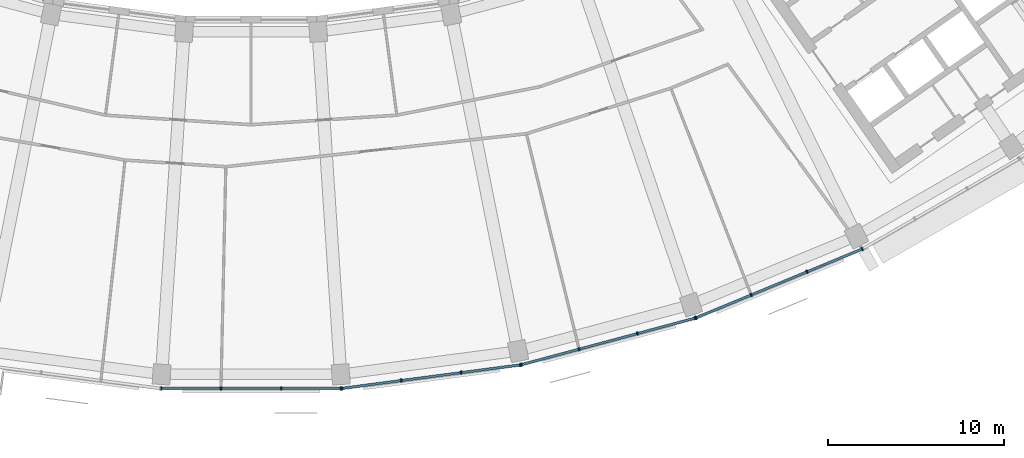
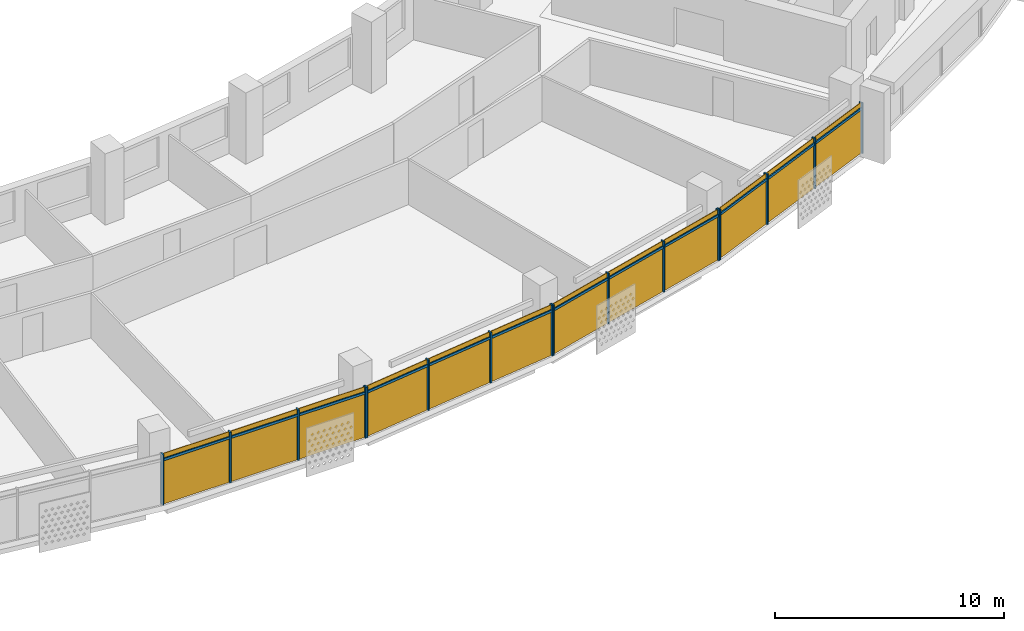
# One storey, part 20 of 27: 28 members, 4 curtain walls.
"""IFC4 building model written with IfcOpenShell, lengths in metres."""

from ifc_helpers import new_model, si_unit, direction, frame, origin, origin_2d, place, context, subcontext, project, spatial, rectangle, extrude, material, material_profile, profile_set, type_object, element, aggregate, save


model = new_model("IFC4")

# Units and contexts
model_context = context("Model", 3, precision=1e-05, world=origin(), true_north=direction((0.0, 1.0)))
body_context = subcontext(model_context, "Body", "Model", "MODEL_VIEW")
ifc_project = project(units=[si_unit("LENGTHUNIT", "METRE"), si_unit("AREAUNIT", "SQUARE_METRE"), si_unit("VOLUMEUNIT", "CUBIC_METRE"), si_unit("PLANEANGLEUNIT", "RADIAN"), si_unit("MASSUNIT", "GRAM", prefix="KILO")], contexts=[model_context])

# Member
ifc_material = material(Name="Aluminium 6063-T6 anodised", Category="aluminium")
ifc_material_profile_1 = material_profile(ifc_material, rectangle(XDim=0.199951171875, YDim=0.070068359375, at=origin_2d()))
ifc_profile_set_1 = profile_set([ifc_material_profile_1], Name="Aluminium 6063-T6 anodised")
member_type_1 = type_object("IfcMemberType", Name="Mullion 70 x 200 aluminium", PredefinedType="MULLION", material=ifc_profile_set_1)
site_placement = place(None, origin())
building_placement = place(site_placement, origin())
storey_placement = place(building_placement, frame((0.0, 0.0, 237.89990234375)))
member_1_placement = place(storey_placement, frame((-5.10888671875, -78.381591796875, 0.0), z_axis=(0.0, 0.0, 1.0), x_axis=(0.0, 1.0, 0.0)))
member_1 = element("IfcMember", 1, at=member_1_placement, type_object=member_type_1, Name="e-cw1-L57-out08/M00", PredefinedType="MULLION", context=body_context, shape_type="SweptSolid", body=[
    extrude(rectangle(XDim=0.199951171875, YDim=0.070068359375, at=origin_2d()), origin(), (0.0, 0.0, 1.0), 2.7001953125),
])

member_2_placement = place(storey_placement, frame((-1.714599609375, -78.381591796875, 0.0), z_axis=(0.0, 0.0, 1.0), x_axis=(0.0, 1.0, 0.0)))
member_2 = element("IfcMember", 2, at=member_2_placement, type_object=member_type_1, Name="e-cw1-L57-out08/M01", PredefinedType="MULLION", context=body_context, shape_type="SweptSolid", body=[
    extrude(rectangle(XDim=0.199951171875, YDim=0.070068359375, at=origin_2d()), origin(), (0.0, 0.0, 1.0), 2.7001953125),
])

member_3_placement = place(storey_placement, frame((1.714599609375, -78.381591796875, 0.0), z_axis=(0.0, 0.0, 1.0), x_axis=(0.0, 1.0, 0.0)))
member_3 = element("IfcMember", 3, at=member_3_placement, type_object=member_type_1, Name="e-cw1-L57-out08/M02", PredefinedType="MULLION", context=body_context, shape_type="SweptSolid", body=[
    extrude(rectangle(XDim=0.199951171875, YDim=0.070068359375, at=origin_2d()), origin(), (0.0, 0.0, 1.0), 2.7001953125),
])

member_4_placement = place(storey_placement, frame((5.10888671875, -78.381591796875, 0.0), z_axis=(0.0, 0.0, 1.0), x_axis=(0.0, 1.0, 0.0)))
member_4 = element("IfcMember", 4, at=member_4_placement, type_object=member_type_1, Name="e-cw1-L57-out08/M03", PredefinedType="MULLION", context=body_context, shape_type="SweptSolid", body=[
    extrude(rectangle(XDim=0.199951171875, YDim=0.070068359375, at=origin_2d()), origin(), (0.0, 0.0, 1.0), 2.7001953125),
])

member_5_placement = place(storey_placement, frame((5.16552734375, -78.3779296875, 0.0), z_axis=(0.0, 0.0, 1.0), x_axis=(-0.13052619222, 0.991444861374, 0.0)))
member_5 = element("IfcMember", 5, at=member_5_placement, type_object=member_type_1, Name="e-cw1-L57-out09/M00", PredefinedType="MULLION", context=body_context, shape_type="SweptSolid", body=[
    extrude(rectangle(XDim=0.199951171875, YDim=0.070068359375, at=origin_2d()), origin(), (0.0, 0.0, 1.0), 2.7001953125),
])

member_6_placement = place(storey_placement, frame((8.53076171875, -77.934814453125, 0.0), z_axis=(0.0, 0.0, 1.0), x_axis=(-0.13052619222, 0.991444861374, 0.0)))
member_6 = element("IfcMember", 6, at=member_6_placement, type_object=member_type_1, Name="e-cw1-L57-out09/M01", PredefinedType="MULLION", context=body_context, shape_type="SweptSolid", body=[
    extrude(rectangle(XDim=0.199951171875, YDim=0.070068359375, at=origin_2d()), origin(), (0.0, 0.0, 1.0), 2.7001953125),
])

member_7_placement = place(storey_placement, frame((11.930908203125, -77.4873046875, 0.0), z_axis=(0.0, 0.0, 1.0), x_axis=(-0.13052619222, 0.991444861374, 0.0)))
member_7 = element("IfcMember", 7, at=member_7_placement, type_object=member_type_1, Name="e-cw1-L57-out09/M02", PredefinedType="MULLION", context=body_context, shape_type="SweptSolid", body=[
    extrude(rectangle(XDim=0.199951171875, YDim=0.070068359375, at=origin_2d()), origin(), (0.0, 0.0, 1.0), 2.7001953125),
])

member_8_placement = place(storey_placement, frame((15.296142578125, -77.044189453125, 0.0), z_axis=(0.0, 0.0, 1.0), x_axis=(-0.13052619222, 0.991444861374, 0.0)))
member_8 = element("IfcMember", 8, at=member_8_placement, type_object=member_type_1, Name="e-cw1-L57-out09/M03", PredefinedType="MULLION", context=body_context, shape_type="SweptSolid", body=[
    extrude(rectangle(XDim=0.199951171875, YDim=0.070068359375, at=origin_2d()), origin(), (0.0, 0.0, 1.0), 2.7001953125),
])

member_9_placement = place(storey_placement, frame((15.351806640625, -77.033203125, 0.0), z_axis=(0.0, 0.0, 1.0), x_axis=(-0.258819045103, 0.965925826289, 0.0)))
member_9 = element("IfcMember", 9, at=member_9_placement, type_object=member_type_1, Name="e-cw1-L57-out10/M00", PredefinedType="MULLION", context=body_context, shape_type="SweptSolid", body=[
    extrude(rectangle(XDim=0.199951171875, YDim=0.070068359375, at=origin_2d()), origin(), (0.0, 0.0, 1.0), 2.7001953125),
])

member_10_placement = place(storey_placement, frame((18.63037109375, -76.154541015625, 0.0), z_axis=(0.0, 0.0, 1.0), x_axis=(-0.258819045103, 0.965925826289, 0.0)))
member_10 = element("IfcMember", 10, at=member_10_placement, type_object=member_type_1, Name="e-cw1-L57-out10/M01", PredefinedType="MULLION", context=body_context, shape_type="SweptSolid", body=[
    extrude(rectangle(XDim=0.199951171875, YDim=0.070068359375, at=origin_2d()), origin(), (0.0, 0.0, 1.0), 2.7001953125),
])

member_11_placement = place(storey_placement, frame((21.94287109375, -75.26708984375, 0.0), z_axis=(0.0, 0.0, 1.0), x_axis=(-0.258819045103, 0.965925826289, 0.0)))
member_11 = element("IfcMember", 11, at=member_11_placement, type_object=member_type_1, Name="e-cw1-L57-out10/M02", PredefinedType="MULLION", context=body_context, shape_type="SweptSolid", body=[
    extrude(rectangle(XDim=0.199951171875, YDim=0.070068359375, at=origin_2d()), origin(), (0.0, 0.0, 1.0), 2.7001953125),
])

member_12_placement = place(storey_placement, frame((25.221435546875, -74.388427734375, 0.0), z_axis=(0.0, 0.0, 1.0), x_axis=(-0.258819045103, 0.965925826289, 0.0)))
member_12 = element("IfcMember", 12, at=member_12_placement, type_object=member_type_1, Name="e-cw1-L57-out10/M03", PredefinedType="MULLION", context=body_context, shape_type="SweptSolid", body=[
    extrude(rectangle(XDim=0.199951171875, YDim=0.070068359375, at=origin_2d()), origin(), (0.0, 0.0, 1.0), 2.7001953125),
])

member_13_placement = place(storey_placement, frame((25.275390625, -74.370361328125, 0.0), z_axis=(0.0, 0.0, 1.0), x_axis=(-0.382683432365, 0.923879532511, 0.0)))
member_13 = element("IfcMember", 13, at=member_13_placement, type_object=member_type_1, Name="e-cw1-L57-out11/M00", PredefinedType="MULLION", context=body_context, shape_type="SweptSolid", body=[
    extrude(rectangle(XDim=0.199951171875, YDim=0.070068359375, at=origin_2d()), origin(), (0.0, 0.0, 1.0), 2.7001953125),
])

member_14_placement = place(storey_placement, frame((28.4111328125, -73.0712890625, 0.0), z_axis=(0.0, 0.0, 1.0), x_axis=(-0.382683432365, 0.923879532511, 0.0)))
member_14 = element("IfcMember", 14, at=member_14_placement, type_object=member_type_1, Name="e-cw1-L57-out11/M01", PredefinedType="MULLION", context=body_context, shape_type="SweptSolid", body=[
    extrude(rectangle(XDim=0.199951171875, YDim=0.070068359375, at=origin_2d()), origin(), (0.0, 0.0, 1.0), 2.7001953125),
])

member_15_placement = place(storey_placement, frame((31.57958984375, -71.759033203125, 0.0), z_axis=(0.0, 0.0, 1.0), x_axis=(-0.382683432365, 0.923879532511, 0.0)))
member_15 = element("IfcMember", 15, at=member_15_placement, type_object=member_type_1, Name="e-cw1-L57-out11/M02", PredefinedType="MULLION", context=body_context, shape_type="SweptSolid", body=[
    extrude(rectangle(XDim=0.199951171875, YDim=0.070068359375, at=origin_2d()), origin(), (0.0, 0.0, 1.0), 2.7001953125),
])

member_16_placement = place(storey_placement, frame((34.71533203125, -70.4599609375, 0.0), z_axis=(0.0, 0.0, 1.0), x_axis=(-0.382683432365, 0.923879532511, 0.0)))
member_16 = element("IfcMember", 16, at=member_16_placement, type_object=member_type_1, Name="e-cw1-L57-out11/M03", PredefinedType="MULLION", context=body_context, shape_type="SweptSolid", body=[
    extrude(rectangle(XDim=0.199951171875, YDim=0.070068359375, at=origin_2d()), origin(), (0.0, 0.0, 1.0), 2.7001953125),
])

ifc_material_profile_2 = material_profile(ifc_material, rectangle(XDim=0.139892578125, YDim=0.1201171875, at=origin_2d()))
ifc_profile_set_2 = profile_set([ifc_material_profile_2], Name="Aluminium 6063-T6 anodised")
member_type_2 = type_object("IfcMemberType", Name="Transom 120 x 140 aluminium", PredefinedType="USERDEFINED", material=ifc_profile_set_2)
member_17_placement = place(storey_placement, frame((-5.073974609375, -78.381591796875, 2.400146484375), z_axis=(1.0, 0.0, 0.0), x_axis=(0.0, 1.0, 0.0)))
member_17 = element("IfcMember", 17, at=member_17_placement, type_object=member_type_2, Name="e-cw1-L57-out08/T00", ObjectType="TRANSOM", PredefinedType="USERDEFINED", context=body_context, shape_type="SweptSolid", body=[
    extrude(rectangle(XDim=0.139892578125, YDim=0.1201171875, at=origin_2d()), origin(), (0.0, 0.0, 1.0), 3.32421875),
])

member_18_placement = place(storey_placement, frame((-1.6796875, -78.381591796875, 2.400146484375), z_axis=(1.0, 0.0, 0.0), x_axis=(0.0, 1.0, 0.0)))
member_18 = element("IfcMember", 18, at=member_18_placement, type_object=member_type_2, Name="e-cw1-L57-out08/T01", ObjectType="TRANSOM", PredefinedType="USERDEFINED", context=body_context, shape_type="SweptSolid", body=[
    extrude(rectangle(XDim=0.139892578125, YDim=0.1201171875, at=origin_2d()), origin(), (0.0, 0.0, 1.0), 3.359375),
])

member_19_placement = place(storey_placement, frame((1.749755859375, -78.381591796875, 2.400146484375), z_axis=(1.0, 0.0, 0.0), x_axis=(0.0, 1.0, 0.0)))
member_19 = element("IfcMember", 19, at=member_19_placement, type_object=member_type_2, Name="e-cw1-L57-out08/T02", ObjectType="TRANSOM", PredefinedType="USERDEFINED", context=body_context, shape_type="SweptSolid", body=[
    extrude(rectangle(XDim=0.139892578125, YDim=0.1201171875, at=origin_2d()), origin(), (0.0, 0.0, 1.0), 3.32421875),
])

member_20_placement = place(storey_placement, frame((5.2001953125, -78.373291015625, 2.400146484375), z_axis=(0.991447795146, 0.130503906072, 0.0), x_axis=(-0.130503906072, 0.991447795146, 0.0)))
member_20 = element("IfcMember", 20, at=member_20_placement, type_object=member_type_2, Name="e-cw1-L57-out09/T00", ObjectType="TRANSOM", PredefinedType="USERDEFINED", context=body_context, shape_type="SweptSolid", body=[
    extrude(rectangle(XDim=0.139892578125, YDim=0.1201171875, at=origin_2d()), origin(), (0.0, 0.0, 1.0), 3.32421875),
])

member_21_placement = place(storey_placement, frame((8.565673828125, -77.93017578125, 2.400146484375), z_axis=(0.991444893088, 0.130525951326, 0.0), x_axis=(-0.130525951326, 0.991444893088, 0.0)))
member_21 = element("IfcMember", 21, at=member_21_placement, type_object=member_type_2, Name="e-cw1-L57-out09/T01", ObjectType="TRANSOM", PredefinedType="USERDEFINED", context=body_context, shape_type="SweptSolid", body=[
    extrude(rectangle(XDim=0.139892578125, YDim=0.1201171875, at=origin_2d()), origin(), (0.0, 0.0, 1.0), 3.359375),
])

member_22_placement = place(storey_placement, frame((11.965576171875, -77.482666015625, 2.400146484375), z_axis=(0.991447795146, 0.130503906072, 0.0), x_axis=(-0.130503906072, 0.991447795146, 0.0)))
member_22 = element("IfcMember", 22, at=member_22_placement, type_object=member_type_2, Name="e-cw1-L57-out09/T02", ObjectType="TRANSOM", PredefinedType="USERDEFINED", context=body_context, shape_type="SweptSolid", body=[
    extrude(rectangle(XDim=0.139892578125, YDim=0.1201171875, at=origin_2d()), origin(), (0.0, 0.0, 1.0), 3.32421875),
])

member_23_placement = place(storey_placement, frame((15.385498046875, -77.024169921875, 2.400146484375), z_axis=(0.965913629723, 0.258864559019, 0.0), x_axis=(-0.258864559019, 0.965913629723, 0.0)))
member_23 = element("IfcMember", 23, at=member_23_placement, type_object=member_type_2, Name="e-cw1-L57-out10/T00", ObjectType="TRANSOM", PredefinedType="USERDEFINED", context=body_context, shape_type="SweptSolid", body=[
    extrude(rectangle(XDim=0.139892578125, YDim=0.1201171875, at=origin_2d()), origin(), (0.0, 0.0, 1.0), 3.324462890625),
])

member_24_placement = place(storey_placement, frame((18.664306640625, -76.1455078125, 2.400146484375), z_axis=(0.965931507774, 0.258797840582, 0.0), x_axis=(-0.258797840582, 0.965931507774, 0.0)))
member_24 = element("IfcMember", 24, at=member_24_placement, type_object=member_type_2, Name="e-cw1-L57-out10/T01", ObjectType="TRANSOM", PredefinedType="USERDEFINED", context=body_context, shape_type="SweptSolid", body=[
    extrude(rectangle(XDim=0.139892578125, YDim=0.1201171875, at=origin_2d()), origin(), (0.0, 0.0, 1.0), 3.359375),
])

member_25_placement = place(storey_placement, frame((21.976806640625, -75.258056640625, 2.400146484375), z_axis=(0.965908708139, 0.25888292246, 0.0), x_axis=(-0.25888292246, 0.965908708139, 0.0)))
member_25 = element("IfcMember", 25, at=member_25_placement, type_object=member_type_2, Name="e-cw1-L57-out10/T02", ObjectType="TRANSOM", PredefinedType="USERDEFINED", context=body_context, shape_type="SweptSolid", body=[
    extrude(rectangle(XDim=0.139892578125, YDim=0.1201171875, at=origin_2d()), origin(), (0.0, 0.0, 1.0), 3.32421875),
])

member_26_placement = place(storey_placement, frame((25.3076171875, -74.35693359375, 2.400146484375), z_axis=(0.923874511193, 0.382695554676, 0.0), x_axis=(-0.382695554676, 0.923874511193, 0.0)))
member_26 = element("IfcMember", 26, at=member_26_placement, type_object=member_type_2, Name="e-cw1-L57-out11/T00", ObjectType="TRANSOM", PredefinedType="USERDEFINED", context=body_context, shape_type="SweptSolid", body=[
    extrude(rectangle(XDim=0.139892578125, YDim=0.1201171875, at=origin_2d()), origin(), (0.0, 0.0, 1.0), 3.324462890625),
])

member_27_placement = place(storey_placement, frame((28.443603515625, -73.057861328125, 2.400146484375), z_axis=(0.923891938088, 0.38265348128, 0.0), x_axis=(-0.38265348128, 0.923891938088, 0.0)))
member_27 = element("IfcMember", 27, at=member_27_placement, type_object=member_type_2, Name="e-cw1-L57-out11/T01", ObjectType="TRANSOM", PredefinedType="USERDEFINED", context=body_context, shape_type="SweptSolid", body=[
    extrude(rectangle(XDim=0.139892578125, YDim=0.1201171875, at=origin_2d()), origin(), (0.0, 0.0, 1.0), 3.359130859375),
])

member_28_placement = place(storey_placement, frame((31.61181640625, -71.74560546875, 2.400146484375), z_axis=(0.923874511193, 0.382695554676, 0.0), x_axis=(-0.382695554676, 0.923874511193, 0.0)))
member_28 = element("IfcMember", 28, at=member_28_placement, type_object=member_type_2, Name="e-cw1-L57-out11/T02", ObjectType="TRANSOM", PredefinedType="USERDEFINED", context=body_context, shape_type="SweptSolid", body=[
    extrude(rectangle(XDim=0.139892578125, YDim=0.1201171875, at=origin_2d()), origin(), (0.0, 0.0, 1.0), 3.324462890625),
])

# Site, building, storey
site = spatial("IfcSite", under=ifc_project, at=site_placement, CompositionType="ELEMENT")
building = spatial("IfcBuilding", under=site, at=building_placement, Name="Qamariyya Broadcast Tower", CompositionType="ELEMENT")
storey = spatial("IfcBuildingStorey", under=building, at=storey_placement, Name="L57", CompositionType="ELEMENT", Elevation=237.89990234375)

# Curtain wall
curtain_wall_type = type_object("IfcCurtainWallType", Name="Unitised curtain wall, anodised aluminium", PredefinedType="NOTDEFINED", material=ifc_material)
curtain_wall_1_placement = place(storey_placement, origin())
curtain_wall_1 = element("IfcCurtainWall", 29, at=curtain_wall_1_placement, inside=storey, type_object=curtain_wall_type, Name="e-cw1-L57-out08", PredefinedType="NOTDEFINED", context=body_context, shape_type="SweptSolid", body=[
    extrude(rectangle(XDim=3.324462890625, YDim=0.031982421875, at=origin_2d()), frame((-3.411865234375, -78.381591796875, 0.0), x_axis=(1.0, 0.0, 0.0)), (0.0, 0.0, 1.0), 2.340087890625),
    extrude(rectangle(XDim=3.324462890625, YDim=0.031982421875, at=origin_2d()), frame((-3.411865234375, -78.381591796875, 2.460205078125), x_axis=(1.0, 0.0, 0.0)), (0.0, 0.0, 1.0), 0.239990234375),
    extrude(rectangle(XDim=3.359375, YDim=0.031982421875, at=origin_2d()), frame((0.0, -78.381591796875, 0.0), x_axis=(1.0, 0.0, 0.0)), (0.0, 0.0, 1.0), 2.340087890625),
    extrude(rectangle(XDim=3.359375, YDim=0.031982421875, at=origin_2d()), frame((0.0, -78.381591796875, 2.460205078125), x_axis=(1.0, 0.0, 0.0)), (0.0, 0.0, 1.0), 0.239990234375),
    extrude(rectangle(XDim=3.324462890625, YDim=0.031982421875, at=origin_2d()), frame((3.411865234375, -78.381591796875, 0.0), x_axis=(1.0, 0.0, 0.0)), (0.0, 0.0, 1.0), 2.340087890625),
    extrude(rectangle(XDim=3.324462890625, YDim=0.031982421875, at=origin_2d()), frame((3.411865234375, -78.381591796875, 2.460205078125), x_axis=(1.0, 0.0, 0.0)), (0.0, 0.0, 1.0), 0.239990234375),
])

aggregate(curtain_wall_1, [member_1, member_2, member_3, member_4, member_17, member_18, member_19])

curtain_wall_2_placement = place(storey_placement, origin())
curtain_wall_2 = element("IfcCurtainWall", 30, at=curtain_wall_2_placement, inside=storey, type_object=curtain_wall_type, Name="e-cw1-L57-out09", PredefinedType="NOTDEFINED", context=body_context, shape_type="SweptSolid", body=[
    extrude(rectangle(XDim=3.32421875, YDim=0.031982421875, at=origin_2d()), frame((6.84814453125, -78.156494140625, 0.0), x_axis=(0.991442741341, 0.130542294457, 0.0)), (0.0, 0.0, 1.0), 2.340087890625),
    extrude(rectangle(XDim=3.32421875, YDim=0.031982421875, at=origin_2d()), frame((6.84814453125, -78.156494140625, 2.460205078125), x_axis=(0.991442741341, 0.130542294457, 0.0)), (0.0, 0.0, 1.0), 0.239990234375),
    extrude(rectangle(XDim=3.359375, YDim=0.031982421875, at=origin_2d()), frame((10.23095703125, -77.7109375, 0.0), x_axis=(0.991442741341, 0.130542294457, 0.0)), (0.0, 0.0, 1.0), 2.340087890625),
    extrude(rectangle(XDim=3.359375, YDim=0.031982421875, at=origin_2d()), frame((10.23095703125, -77.7109375, 2.460205078125), x_axis=(0.991442741341, 0.130542294457, 0.0)), (0.0, 0.0, 1.0), 0.239990234375),
    extrude(rectangle(XDim=3.32421875, YDim=0.031982421875, at=origin_2d()), frame((13.613525390625, -77.265625, 0.0), x_axis=(0.991442741341, 0.130542294457, 0.0)), (0.0, 0.0, 1.0), 2.340087890625),
    extrude(rectangle(XDim=3.32421875, YDim=0.031982421875, at=origin_2d()), frame((13.613525390625, -77.265625, 2.460205078125), x_axis=(0.991442741341, 0.130542294457, 0.0)), (0.0, 0.0, 1.0), 0.239990234375),
])

aggregate(curtain_wall_2, [member_5, member_6, member_7, member_8, member_20, member_21, member_22])

curtain_wall_3_placement = place(storey_placement, origin())
curtain_wall_3 = element("IfcCurtainWall", 31, at=curtain_wall_3_placement, inside=storey, type_object=curtain_wall_type, Name="e-cw1-L57-out10", PredefinedType="NOTDEFINED", context=body_context, shape_type="SweptSolid", body=[
    extrude(rectangle(XDim=3.324462890625, YDim=0.031982421875, at=origin_2d()), frame((16.990966796875, -76.593994140625, 0.0), x_axis=(0.965923476514, 0.258827814424, 0.0)), (0.0, 0.0, 1.0), 2.340087890625),
    extrude(rectangle(XDim=3.324462890625, YDim=0.031982421875, at=origin_2d()), frame((16.990966796875, -76.593994140625, 2.460205078125), x_axis=(0.965923476514, 0.258827814424, 0.0)), (0.0, 0.0, 1.0), 0.239990234375),
    extrude(rectangle(XDim=3.359375, YDim=0.031982421875, at=origin_2d()), frame((20.28662109375, -75.7109375, 0.0), x_axis=(0.965923476514, 0.258827814424, 0.0)), (0.0, 0.0, 1.0), 2.340087890625),
    extrude(rectangle(XDim=3.359375, YDim=0.031982421875, at=origin_2d()), frame((20.28662109375, -75.7109375, 2.460205078125), x_axis=(0.965923476514, 0.258827814424, 0.0)), (0.0, 0.0, 1.0), 0.239990234375),
    extrude(rectangle(XDim=3.324462890625, YDim=0.031982421875, at=origin_2d()), frame((23.582275390625, -74.82763671875, 0.0), x_axis=(0.965923476514, 0.258827814424, 0.0)), (0.0, 0.0, 1.0), 2.340087890625),
    extrude(rectangle(XDim=3.324462890625, YDim=0.031982421875, at=origin_2d()), frame((23.582275390625, -74.82763671875, 2.460205078125), x_axis=(0.965923476514, 0.258827814424, 0.0)), (0.0, 0.0, 1.0), 0.239990234375),
])

aggregate(curtain_wall_3, [member_9, member_10, member_11, member_12, member_23, member_24, member_25])

curtain_wall_4_placement = place(storey_placement, origin())
curtain_wall_4 = element("IfcCurtainWall", 32, at=curtain_wall_4_placement, inside=storey, type_object=curtain_wall_type, Name="e-cw1-L57-out11", PredefinedType="NOTDEFINED", context=body_context, shape_type="SweptSolid", body=[
    extrude(rectangle(XDim=3.32421875, YDim=0.031982421875, at=origin_2d()), frame((26.84326171875, -73.720703125, 0.0), x_axis=(0.923880895135, 0.382680142683, 0.0)), (0.0, 0.0, 1.0), 2.340087890625),
    extrude(rectangle(XDim=3.32421875, YDim=0.031982421875, at=origin_2d()), frame((26.84326171875, -73.720703125, 2.460205078125), x_axis=(0.923880895135, 0.382680142683, 0.0)), (0.0, 0.0, 1.0), 0.239990234375),
    extrude(rectangle(XDim=3.359375, YDim=0.031982421875, at=origin_2d()), frame((29.995361328125, -72.4150390625, 0.0), x_axis=(0.923880895135, 0.382680142683, 0.0)), (0.0, 0.0, 1.0), 2.340087890625),
    extrude(rectangle(XDim=3.359375, YDim=0.031982421875, at=origin_2d()), frame((29.995361328125, -72.4150390625, 2.460205078125), x_axis=(0.923880895135, 0.382680142683, 0.0)), (0.0, 0.0, 1.0), 0.239990234375),
    extrude(rectangle(XDim=3.32421875, YDim=0.031982421875, at=origin_2d()), frame((33.1474609375, -71.109375, 0.0), x_axis=(0.923880895135, 0.382680142683, 0.0)), (0.0, 0.0, 1.0), 2.340087890625),
    extrude(rectangle(XDim=3.32421875, YDim=0.031982421875, at=origin_2d()), frame((33.1474609375, -71.109375, 2.460205078125), x_axis=(0.923880895135, 0.382680142683, 0.0)), (0.0, 0.0, 1.0), 0.239990234375),
])

aggregate(curtain_wall_4, [member_13, member_14, member_15, member_16, member_26, member_27, member_28])

save(model, "model.ifc")
